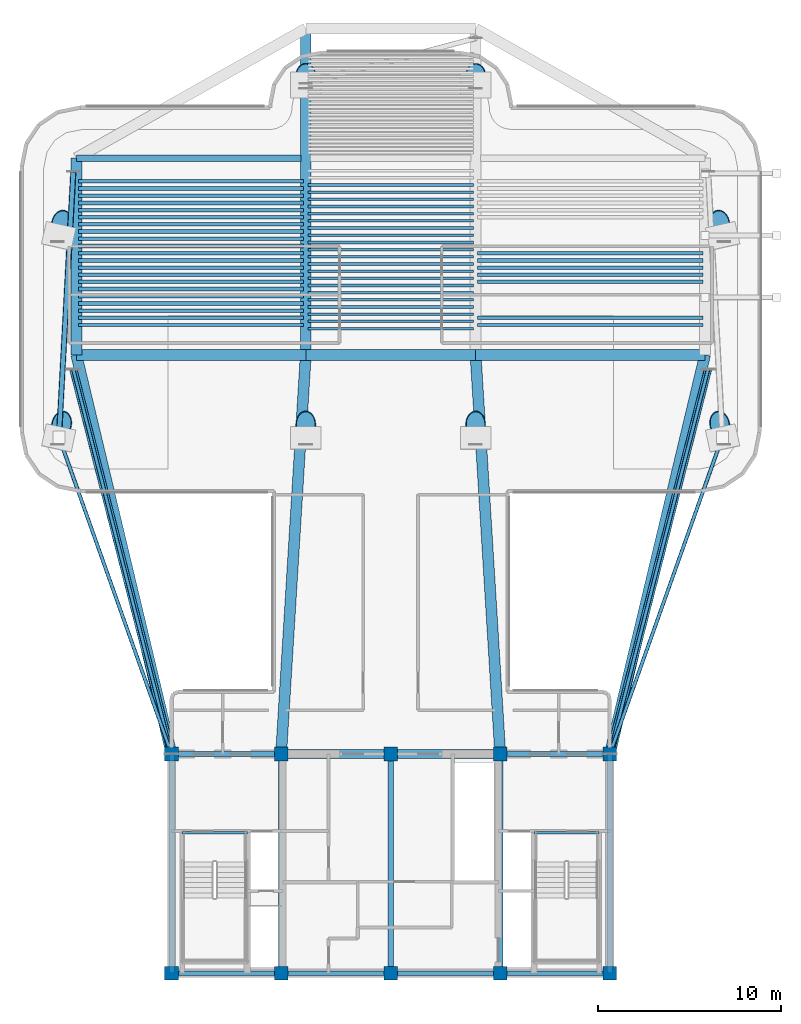
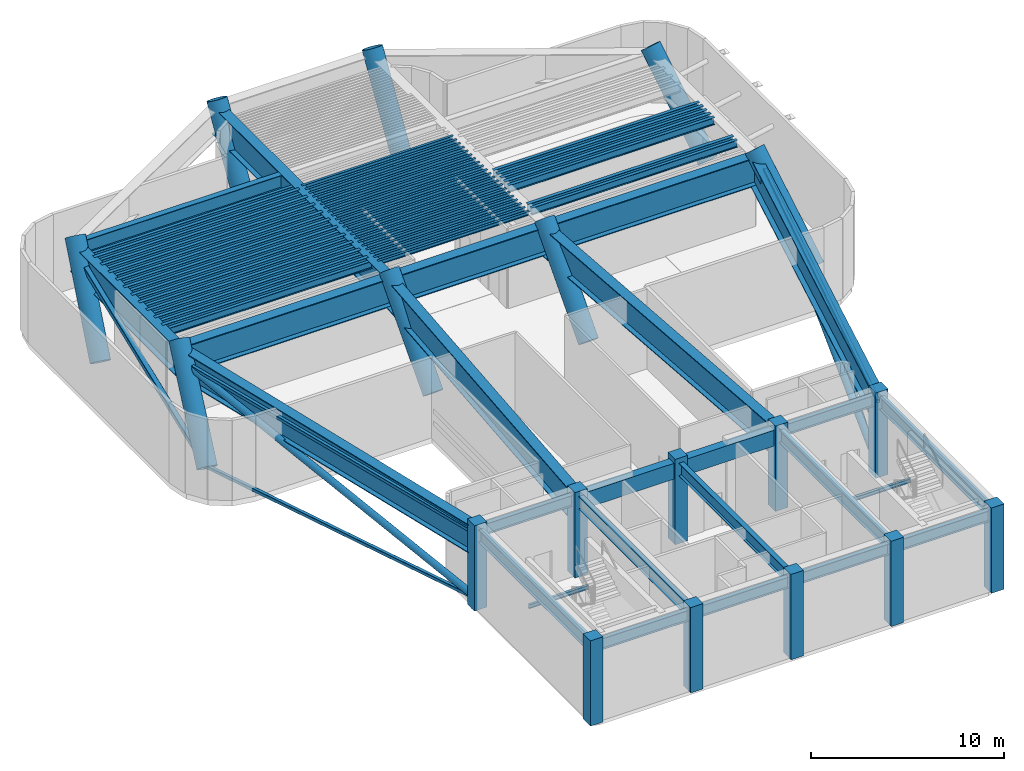
# One storey, part 1 of 11: 73 beams, 18 columns, 7 members.
"""IFC4 building model written with IfcOpenShell, lengths in metres."""

from ifc_helpers import new_model, si_unit, direction, frame, origin, origin_2d, place, context, subcontext, project, spatial, rectangle, hollow_rectangle, hollow_circle, i_section, extrude, source, transform, mapped, material, material_profile, profile_set, type_object, element, save


model = new_model("IFC4")

# Units and contexts
model_context = context("Model", 3, precision=1e-05, world=origin(), true_north=direction((0.0, 1.0)))
body_context = subcontext(model_context, "Body", "Model", "MODEL_VIEW")
ifc_project = project(units=[si_unit("LENGTHUNIT", "METRE"), si_unit("AREAUNIT", "SQUARE_METRE"), si_unit("VOLUMEUNIT", "CUBIC_METRE"), si_unit("PLANEANGLEUNIT", "RADIAN"), si_unit("MASSUNIT", "GRAM", prefix="KILO")], contexts=[model_context])

# Site, building, storey
site_placement = place(None, origin())
site = spatial("IfcSite", under=ifc_project, at=site_placement, CompositionType="ELEMENT")
building_placement = place(site_placement, origin())
building = spatial("IfcBuilding", under=site, at=building_placement, Name="Brelvock Crest Care Tower", CompositionType="ELEMENT")
storey_placement = place(building_placement, frame((0.0, 0.0, 213.1201171875)))
storey = spatial("IfcBuildingStorey", under=building, at=storey_placement, Name="L54", CompositionType="ELEMENT", Elevation=213.1201171875)

# Columns
ifc_material_1 = material(Name="Concrete S65 (65 MPa)", Category="concrete")
ifc_material_profile_1 = material_profile(ifc_material_1, rectangle(XDim=0.75, YDim=0.75, at=origin_2d()), Name="RC750x750")
ifc_profile_set_1 = profile_set([ifc_material_profile_1], Name="Concrete S65 (65 MPa)")
column_type_1 = type_object("IfcColumnType", Name="COL-RC3", PredefinedType="COLUMN", material=ifc_profile_set_1)
shared_shape_1 = source(origin(), body_context, "Body", "SweptSolid", [
    extrude(rectangle(XDim=0.75, YDim=0.75, at=origin_2d()), origin(), (0.0, 0.0, 1.0), 5.39990234375),
])
for number, where, z_axis, x_axis, name in (
    (1, (24.0, 6.0, 0.0), (0.0, 0.0, 1.0), (1.0, 0.0, 0.0), "L54 Core Column CC-01"),
    (2, (30.0, 6.0, 0.0), (0.0, 0.0, 1.0), (1.0, 0.0, 0.0), "L54 Core Column CC-02"),
    (3, (36.0, 6.0, 0.0), (0.0, 0.0, 1.0), (1.0, 0.0, 0.0), "L54 Core Column CC-03"),
    (4, (42.0, 6.0, 0.0), (0.0, 0.0, 1.0), (1.0, 0.0, 0.0), "L54 Core Column CC-04"),
    (5, (48.0, 6.0, 0.0), (0.0, 0.0, 1.0), (1.0, 0.0, 0.0), "L54 Core Column CC-05"),
    (6, (24.0, 18.0, 0.0), (0.0, 0.0, 1.0), (1.0, 0.0, 0.0), "L54 Core Column CC-06"),
    (7, (30.0, 18.0, 0.0), (0.0, 0.0, 1.0), (1.0, 0.0, 0.0), "L54 Core Column CC-07"),
    (8, (36.0, 18.0, 0.0), (0.0, 0.0, 1.0), (1.0, 0.0, 0.0), "L54 Core Column CC-08"),
    (9, (42.0, 18.0, 0.0), (0.0, 0.0, 1.0), (1.0, 0.0, 0.0), "L54 Core Column CC-09"),
    (10, (48.0, 18.0, 0.0), (0.0, 0.0, 1.0), (1.0, 0.0, 0.0), "L54 Core Column CC-10"),
):
    element("IfcColumn", number, at=place(storey_placement, frame(where, z_axis=z_axis, x_axis=x_axis)), inside=storey, type_object=column_type_1, Name=name, PredefinedType="COLUMN", context=body_context, shape_type="MappedRepresentation", body=[
        mapped(shared_shape_1, transform((0.0, 0.0, 0.0), x_axis=(1.0, 0.0, 0.0), y_axis=(0.0, 1.0, 0.0), z_axis=(0.0, 0.0, 1.0), scale=1.0)),
    ])
ifc_material_2 = material(Name="Steel Grade 350", Category="steel")
ifc_material_profile_2 = material_profile(ifc_material_2, hollow_circle(Radius=0.550048828125, WallThickness=0.0400390625, at=origin_2d()), Name="CFT1100x40")
ifc_profile_set_2 = profile_set([ifc_material_profile_2], Name="Steel Grade 350")
column_type_2 = type_object("IfcColumnType", Name="COL-MC3", PredefinedType="COLUMN", material=ifc_profile_set_2)
shared_shape_2 = source(origin(), body_context, "Body", "SweptSolid", [
    extrude(hollow_circle(Radius=0.550048828125, WallThickness=0.0400390625, at=origin_2d()), origin(), (0.0, 0.0, 1.0), 6.834228515625),
])
for number, where, z_axis, x_axis, name in (
    (11, (17.825439453125, 35.3076171875, 0.393310546875), (0.14060814626, 0.665995343173, 0.732584160406), (-0.978431573463, 0.206571188819, 0.0), "L54 Raked Mega-Column M1"),
    (12, (54.174560546875, 35.3076171875, 0.393310546875), (-0.14060814626, 0.665995343173, 0.732584160406), (-0.978431573463, -0.206571188819, 0.0), "L54 Raked Mega-Column M3"),
):
    element("IfcColumn", number, at=place(storey_placement, frame(where, z_axis=z_axis, x_axis=x_axis)), inside=storey, type_object=column_type_2, Name=name, PredefinedType="COLUMN", context=body_context, shape_type="MappedRepresentation", body=[
        mapped(shared_shape_2, transform((0.0, 0.0, 0.0), x_axis=(1.0, 0.0, 0.0), y_axis=(0.0, 1.0, 0.0), z_axis=(0.0, 0.0, 1.0), scale=1.0)),
    ])
shared_shape_3 = source(origin(), body_context, "Body", "SweptSolid", [
    extrude(hollow_circle(Radius=0.550048828125, WallThickness=0.0400390625, at=origin_2d()), origin(), (0.0, 0.0, 1.0), 6.65380859375),
])
for number, where, z_axis, x_axis, name in (
    (13, (17.822998046875, 46.372314453125, 0.3798828125), (0.144787640701, 0.640169783911, 0.754466160187), (-0.975364614576, 0.220598886291, 0.0), "L54 Raked Mega-Column M2"),
    (14, (54.177001953125, 46.372314453125, 0.3798828125), (-0.144787640701, 0.640169783911, 0.754466160187), (-0.975364614576, -0.220598886291, 0.0), "L54 Raked Mega-Column M4"),
):
    element("IfcColumn", number, at=place(storey_placement, frame(where, z_axis=z_axis, x_axis=x_axis)), inside=storey, type_object=column_type_2, Name=name, PredefinedType="COLUMN", context=body_context, shape_type="MappedRepresentation", body=[
        mapped(shared_shape_3, transform((0.0, 0.0, 0.0), x_axis=(1.0, 0.0, 0.0), y_axis=(0.0, 1.0, 0.0), z_axis=(0.0, 0.0, 1.0), scale=1.0)),
    ])
shared_shape_4 = source(origin(), body_context, "Body", "SweptSolid", [
    extrude(hollow_circle(Radius=0.550048828125, WallThickness=0.0400390625, at=origin_2d()), origin(), (0.0, 0.0, 1.0), 6.772216796875),
])
for number, where, z_axis, x_axis, name in (
    (15, (31.35009765625, 35.3037109375, 0.388916015625), (0.0, 0.672670999613, 0.73994170465), (-1.0, 0.0, 0.0), "L54 Raked Mega-Column M5"),
    (16, (40.64990234375, 35.3037109375, 0.388916015625), (0.0, 0.672670999613, 0.73994170465), (-1.0, 0.0, 0.0), "L54 Raked Mega-Column M6"),
):
    element("IfcColumn", number, at=place(storey_placement, frame(where, z_axis=z_axis, x_axis=x_axis)), inside=storey, type_object=column_type_2, Name=name, PredefinedType="COLUMN", context=body_context, shape_type="MappedRepresentation", body=[
        mapped(shared_shape_4, transform((0.0, 0.0, 0.0), x_axis=(1.0, 0.0, 0.0), y_axis=(0.0, 1.0, 0.0), z_axis=(0.0, 0.0, 1.0), scale=1.0)),
    ])
shared_shape_5 = source(origin(), body_context, "Body", "SweptSolid", [
    extrude(hollow_circle(Radius=0.550048828125, WallThickness=0.0400390625, at=origin_2d()), origin(), (0.0, 0.0, 1.0), 5.958740234375),
])
for number, where, z_axis, x_axis, name in (
    (17, (31.35009765625, 54.63427734375, 0.303955078125), (0.0, 0.51829263569, 0.855203334763), (-1.0, 0.0, 0.0), "L54 Raked Mega-Column M7"),
    (18, (40.64990234375, 54.63427734375, 0.303955078125), (0.0, 0.51829263569, 0.855203334763), (-1.0, 0.0, 0.0), "L54 Raked Mega-Column M8"),
):
    element("IfcColumn", number, at=place(storey_placement, frame(where, z_axis=z_axis, x_axis=x_axis)), inside=storey, type_object=column_type_2, Name=name, PredefinedType="COLUMN", context=body_context, shape_type="MappedRepresentation", body=[
        mapped(shared_shape_5, transform((0.0, 0.0, 0.0), x_axis=(1.0, 0.0, 0.0), y_axis=(0.0, 1.0, 0.0), z_axis=(0.0, 0.0, 1.0), scale=1.0)),
    ])

# Beams
ifc_material_profile_3 = material_profile(ifc_material_2, i_section(OverallWidth=0.25, OverallDepth=0.699951171875, WebThickness=0.011962890625, FlangeThickness=0.02001953125, at=origin_2d()), Name="700WB150")
ifc_profile_set_3 = profile_set([ifc_material_profile_3], Name="Steel Grade 350")
beam_type_1 = type_object("IfcBeamType", Name="BM-G4", PredefinedType="BEAM", material=ifc_profile_set_3)
shared_shape_6 = source(origin(), body_context, "Body", "SweptSolid", [
    extrude(i_section(OverallWidth=0.25, OverallDepth=0.699951171875, WebThickness=0.011962890625, FlangeThickness=0.02001953125, at=origin_2d()), origin(), (0.0, 0.0, 1.0), 6.0),
])
for number, where, z_axis, x_axis, name in (
    (19, (24.0, 6.0, 4.72998046875), (1.0, 0.0, 0.0), (0.0, 1.0, 0.0), "BM-CORES-L54-1"),
    (20, (24.0, 18.0, 4.72998046875), (1.0, 0.0, 0.0), (0.0, 1.0, 0.0), "BM-COREN-L54-1"),
    (21, (30.0, 6.0, 4.72998046875), (1.0, 0.0, 0.0), (0.0, 1.0, 0.0), "BM-CORES-L54-2"),
    (22, (36.0, 6.0, 4.72998046875), (1.0, 0.0, 0.0), (0.0, 1.0, 0.0), "BM-CORES-L54-3"),
    (23, (42.0, 6.0, 4.72998046875), (1.0, 0.0, 0.0), (0.0, 1.0, 0.0), "BM-CORES-L54-4"),
    (24, (42.0, 18.0, 4.72998046875), (1.0, 0.0, 0.0), (0.0, 1.0, 0.0), "BM-COREN-L54-4"),
):
    element("IfcBeam", number, at=place(storey_placement, frame(where, z_axis=z_axis, x_axis=x_axis)), inside=storey, type_object=beam_type_1, Name=name, PredefinedType="BEAM", context=body_context, shape_type="MappedRepresentation", body=[
        mapped(shared_shape_6, transform((0.0, 0.0, 0.0), x_axis=(1.0, 0.0, 0.0), y_axis=(0.0, 1.0, 0.0), z_axis=(0.0, 0.0, 1.0), scale=1.0)),
    ])
ifc_material_profile_4 = material_profile(ifc_material_2, i_section(OverallWidth=0.300048828125, OverallDepth=0.800048828125, WebThickness=0.013916015625, FlangeThickness=0.02197265625, at=origin_2d()), Name="800WB192")
ifc_profile_set_4 = profile_set([ifc_material_profile_4], Name="Steel Grade 350")
beam_type_2 = type_object("IfcBeamType", Name="BM-G5", PredefinedType="BEAM", material=ifc_profile_set_4)
shared_shape_7 = source(origin(), body_context, "Body", "SweptSolid", [
    extrude(i_section(OverallWidth=0.300048828125, OverallDepth=0.800048828125, WebThickness=0.013916015625, FlangeThickness=0.02197265625, at=origin_2d()), origin(), (0.0, 0.0, 1.0), 12.0),
])
for number, where, z_axis, x_axis, name in (
    (25, (24.0, 6.0, 4.679931640625), (0.0, 1.0, 0.0), (-1.0, 0.0, 0.0), "BM-COREX-L54-1"),
    (26, (30.0, 6.0, 4.679931640625), (0.0, 1.0, 0.0), (-1.0, 0.0, 0.0), "BM-COREX-L54-2"),
    (27, (36.0, 6.0, 4.679931640625), (0.0, 1.0, 0.0), (-1.0, 0.0, 0.0), "BM-COREX-L54-3"),
    (28, (42.0, 6.0, 4.679931640625), (0.0, 1.0, 0.0), (-1.0, 0.0, 0.0), "BM-COREX-L54-4"),
    (29, (48.0, 6.0, 4.679931640625), (0.0, 1.0, 0.0), (-1.0, 0.0, 0.0), "BM-COREX-L54-5"),
):
    element("IfcBeam", number, at=place(storey_placement, frame(where, z_axis=z_axis, x_axis=x_axis)), inside=storey, type_object=beam_type_2, Name=name, PredefinedType="BEAM", context=body_context, shape_type="MappedRepresentation", body=[
        mapped(shared_shape_7, transform((0.0, 0.0, 0.0), x_axis=(1.0, 0.0, 0.0), y_axis=(0.0, 1.0, 0.0), z_axis=(0.0, 0.0, 1.0), scale=1.0)),
    ])
ifc_material_profile_5 = material_profile(ifc_material_2, i_section(OverallWidth=0.14599609375, OverallDepth=0.256103515625, WebThickness=0.00634765625, FlangeThickness=0.010986328125, FilletRadius=0.0087890625, at=origin_2d()), Name="250UB37.3")
ifc_profile_set_5 = profile_set([ifc_material_profile_5], Name="Steel Grade 350")
beam_type_3 = type_object("IfcBeamType", Name="BM-J3", PredefinedType="JOIST", material=ifc_profile_set_5)
shared_shape_8 = source(origin(), body_context, "Body", "SweptSolid", [
    extrude(i_section(OverallWidth=0.14599609375, OverallDepth=0.256103515625, WebThickness=0.00634765625, FlangeThickness=0.010986328125, FilletRadius=0.0087890625, at=origin_2d()), origin(), (0.0, 0.0, 1.0), 3.56982421875),
])
for number, where, z_axis, x_axis, name in (
    (30, (24.580078125, 13.679931640625, 2.371826171875), (1.0, 0.0, 0.0), (0.0, 1.0, 0.0), "BM-ST1L-L54"),
    (31, (43.85009765625, 13.679931640625, 2.371826171875), (1.0, 0.0, 0.0), (0.0, 1.0, 0.0), "BM-ST2L-L54"),
):
    element("IfcBeam", number, at=place(storey_placement, frame(where, z_axis=z_axis, x_axis=x_axis)), inside=storey, type_object=beam_type_3, Name=name, PredefinedType="JOIST", context=body_context, shape_type="MappedRepresentation", body=[
        mapped(shared_shape_8, transform((0.0, 0.0, 0.0), x_axis=(1.0, 0.0, 0.0), y_axis=(0.0, 1.0, 0.0), z_axis=(0.0, 0.0, 1.0), scale=1.0)),
    ])
ifc_material_profile_6 = material_profile(ifc_material_2, i_section(OverallWidth=0.60009765625, OverallDepth=1.800048828125, WebThickness=0.028076171875, FlangeThickness=0.052001953125, at=origin_2d()), Name="1800TG740")
ifc_profile_set_6 = profile_set([ifc_material_profile_6], Name="Steel Grade 350")
beam_type_4 = type_object("IfcBeamType", Name="BM-TG1", PredefinedType="USERDEFINED", material=ifc_profile_set_6)
shared_shape_9 = source(origin(), body_context, "Body", "SweptSolid", [
    extrude(i_section(OverallWidth=0.60009765625, OverallDepth=1.800048828125, WebThickness=0.028076171875, FlangeThickness=0.052001953125, at=origin_2d()), origin(), (0.0, 0.0, 1.0), 9.2998046875),
])
beam_1_placement = place(storey_placement, frame((31.35009765625, 39.859130859375, 4.179931640625), z_axis=(1.0, 0.0, 0.0), x_axis=(0.0, 1.0, 0.0)))
element("IfcBeam", 32, at=beam_1_placement, inside=storey, type_object=beam_type_4, Name="BM-TWR-L54-05", ObjectType="GIRDER", PredefinedType="USERDEFINED", context=body_context, shape_type="MappedRepresentation", body=[
    mapped(shared_shape_9, transform((0.0, 0.0, 0.0), x_axis=(1.0, 0.0, 0.0), y_axis=(0.0, 1.0, 0.0), z_axis=(0.0, 0.0, 1.0), scale=1.0)),
])
shared_shape_10 = source(origin(), body_context, "Body", "SweptSolid", [
    extrude(i_section(OverallWidth=0.14599609375, OverallDepth=0.256103515625, WebThickness=0.00634765625, FlangeThickness=0.010986328125, FilletRadius=0.0087890625, at=origin_2d()), origin(), (0.0, 0.0, 1.0), 9.06982421875),
])
for number, where, z_axis, x_axis, name in (
    (33, (31.465087890625, 41.294677734375, 4.951904296875), (1.0, 0.0, 0.0), (0.0, 1.0, 0.0), "BM-JH-L54-3"),
    (34, (31.465087890625, 41.687744140625, 4.951904296875), (1.0, 0.0, 0.0), (0.0, 1.0, 0.0), "BM-JH-L54-4"),
    (35, (31.465087890625, 42.0810546875, 4.951904296875), (1.0, 0.0, 0.0), (0.0, 1.0, 0.0), "BM-JH-L54-5"),
    (36, (31.465087890625, 42.47412109375, 4.951904296875), (1.0, 0.0, 0.0), (0.0, 1.0, 0.0), "BM-JH-L54-6"),
    (37, (31.465087890625, 42.867431640625, 4.951904296875), (1.0, 0.0, 0.0), (0.0, 1.0, 0.0), "BM-JH-L54-7"),
    (38, (31.465087890625, 43.260498046875, 4.951904296875), (1.0, 0.0, 0.0), (0.0, 1.0, 0.0), "BM-JH-L54-8"),
    (39, (31.465087890625, 43.65380859375, 4.951904296875), (1.0, 0.0, 0.0), (0.0, 1.0, 0.0), "BM-JH-L54-9"),
    (40, (31.465087890625, 44.047119140625, 4.951904296875), (1.0, 0.0, 0.0), (0.0, 1.0, 0.0), "BM-JH-L54-10"),
    (41, (31.465087890625, 44.440185546875, 4.951904296875), (1.0, 0.0, 0.0), (0.0, 1.0, 0.0), "BM-JH-L54-11"),
    (42, (31.465087890625, 44.83349609375, 4.951904296875), (1.0, 0.0, 0.0), (0.0, 1.0, 0.0), "BM-JH-L54-12"),
    (43, (31.465087890625, 45.2265625, 4.951904296875), (1.0, 0.0, 0.0), (0.0, 1.0, 0.0), "BM-JH-L54-13"),
    (44, (31.465087890625, 45.619873046875, 4.951904296875), (1.0, 0.0, 0.0), (0.0, 1.0, 0.0), "BM-JH-L54-14"),
    (45, (31.465087890625, 46.012939453125, 4.951904296875), (1.0, 0.0, 0.0), (0.0, 1.0, 0.0), "BM-JH-L54-15"),
    (46, (31.465087890625, 46.40625, 4.951904296875), (1.0, 0.0, 0.0), (0.0, 1.0, 0.0), "BM-JH-L54-16"),
    (47, (31.465087890625, 46.79931640625, 4.951904296875), (1.0, 0.0, 0.0), (0.0, 1.0, 0.0), "BM-JH-L54-17"),
    (48, (31.465087890625, 47.192626953125, 4.951904296875), (1.0, 0.0, 0.0), (0.0, 1.0, 0.0), "BM-JH-L54-18"),
    (49, (31.465087890625, 47.585693359375, 4.951904296875), (1.0, 0.0, 0.0), (0.0, 1.0, 0.0), "BM-JH-L54-19"),
    (50, (31.465087890625, 47.97900390625, 4.951904296875), (1.0, 0.0, 0.0), (0.0, 1.0, 0.0), "BM-JH-L54-20"),
    (51, (31.465087890625, 48.372314453125, 4.951904296875), (1.0, 0.0, 0.0), (0.0, 1.0, 0.0), "BM-JH-L54-21"),
    (52, (31.465087890625, 48.765380859375, 4.951904296875), (1.0, 0.0, 0.0), (0.0, 1.0, 0.0), "BM-JH-L54-22"),
    (53, (31.465087890625, 49.15869140625, 4.951904296875), (1.0, 0.0, 0.0), (0.0, 1.0, 0.0), "BM-JH-L54-23"),
):
    element("IfcBeam", number, at=place(storey_placement, frame(where, z_axis=z_axis, x_axis=x_axis)), inside=storey, type_object=beam_type_3, Name=name, PredefinedType="JOIST", context=body_context, shape_type="MappedRepresentation", body=[
        mapped(shared_shape_10, transform((0.0, 0.0, 0.0), x_axis=(1.0, 0.0, 0.0), y_axis=(0.0, 1.0, 0.0), z_axis=(0.0, 0.0, 1.0), scale=1.0)),
    ])
ifc_material_profile_7 = material_profile(ifc_material_1, rectangle(XDim=0.5, YDim=1.0, at=origin_2d()), Name="RC500x1000")
ifc_profile_set_7 = profile_set([ifc_material_profile_7], Name="Concrete S65 (65 MPa)")
beam_type_5 = type_object("IfcBeamType", Name="BM-LN2", PredefinedType="LINTEL", material=ifc_profile_set_7)
shared_shape_11 = source(origin(), body_context, "Body", "SweptSolid", [
    extrude(rectangle(XDim=0.5, YDim=1.0, at=origin_2d()), origin(), (0.0, 0.0, 1.0), 12.0),
])
beam_2_placement = place(storey_placement, frame((30.0, 18.0, 4.579833984375), z_axis=(1.0, 0.0, 0.0), x_axis=(0.0, 1.0, 0.0)))
element("IfcBeam", 54, at=beam_2_placement, inside=storey, type_object=beam_type_5, Name="L54 Core Coupling Lintel Beam", PredefinedType="LINTEL", context=body_context, shape_type="MappedRepresentation", body=[
    mapped(shared_shape_11, transform((0.0, 0.0, 0.0), x_axis=(1.0, 0.0, 0.0), y_axis=(0.0, 1.0, 0.0), z_axis=(0.0, 0.0, 1.0), scale=1.0)),
])
shared_shape_12 = source(origin(), body_context, "Body", "SweptSolid", [
    extrude(i_section(OverallWidth=0.60009765625, OverallDepth=1.800048828125, WebThickness=0.028076171875, FlangeThickness=0.052001953125, at=origin_2d()), origin(), (0.0, 0.0, 1.0), 10.772705078125),
])
beam_3_placement = place(storey_placement, frame((18.786376953125, 39.859130859375, 4.179931640625), z_axis=(0.0, 1.0, 0.0), x_axis=(-1.0, 0.0, 0.0)))
element("IfcBeam", 55, at=beam_3_placement, inside=storey, type_object=beam_type_4, Name="BM-TWR-L54-01", ObjectType="GIRDER", PredefinedType="USERDEFINED", context=body_context, shape_type="MappedRepresentation", body=[
    mapped(shared_shape_12, transform((0.0, 0.0, 0.0), x_axis=(1.0, 0.0, 0.0), y_axis=(0.0, 1.0, 0.0), z_axis=(0.0, 0.0, 1.0), scale=1.0)),
])
shared_shape_13 = source(origin(), body_context, "Body", "SweptSolid", [
    extrude(i_section(OverallWidth=0.60009765625, OverallDepth=1.800048828125, WebThickness=0.028076171875, FlangeThickness=0.052001953125, at=origin_2d()), origin(), (0.0, 0.0, 1.0), 12.563720703125),
])
for number, where, z_axis, x_axis, name in (
    (56, (18.786376953125, 39.859130859375, 4.179931640625), (1.0, 0.0, 0.0), (0.0, 1.0, 0.0), "BM-TWR-L54-03"),
    (57, (40.64990234375, 39.859130859375, 4.179931640625), (1.0, 0.0, 0.0), (0.0, 1.0, 0.0), "BM-TWR-L54-04"),
):
    element("IfcBeam", number, at=place(storey_placement, frame(where, z_axis=z_axis, x_axis=x_axis)), inside=storey, type_object=beam_type_4, Name=name, ObjectType="GIRDER", PredefinedType="USERDEFINED", context=body_context, shape_type="MappedRepresentation", body=[
        mapped(shared_shape_13, transform((0.0, 0.0, 0.0), x_axis=(1.0, 0.0, 0.0), y_axis=(0.0, 1.0, 0.0), z_axis=(0.0, 0.0, 1.0), scale=1.0)),
    ])
shared_shape_14 = source(origin(), body_context, "Body", "SweptSolid", [
    extrude(i_section(OverallWidth=0.60009765625, OverallDepth=1.800048828125, WebThickness=0.028076171875, FlangeThickness=0.052001953125, at=origin_2d()), origin(), (0.0, 0.0, 1.0), 17.863525390625),
])
beam_4_placement = place(storey_placement, frame((31.35009765625, 39.859130859375, 4.179931640625), z_axis=(0.0, 1.0, 0.0), x_axis=(-1.0, 0.0, 0.0)))
element("IfcBeam", 58, at=beam_4_placement, inside=storey, type_object=beam_type_4, Name="BM-TWR-L54-09", ObjectType="GIRDER", PredefinedType="USERDEFINED", context=body_context, shape_type="MappedRepresentation", body=[
    mapped(shared_shape_14, transform((0.0, 0.0, 0.0), x_axis=(1.0, 0.0, 0.0), y_axis=(0.0, 1.0, 0.0), z_axis=(0.0, 0.0, 1.0), scale=1.0)),
])
ifc_material_profile_8 = material_profile(ifc_material_2, i_section(OverallWidth=0.35009765625, OverallDepth=0.89990234375, WebThickness=0.01611328125, FlangeThickness=0.028076171875, at=origin_2d()), Name="900WB257")
ifc_profile_set_8 = profile_set([ifc_material_profile_8], Name="Steel Grade 350")
beam_type_6 = type_object("IfcBeamType", Name="BM-G6", PredefinedType="BEAM", material=ifc_profile_set_8)
shared_shape_15 = source(origin(), body_context, "Body", "SweptSolid", [
    extrude(i_section(OverallWidth=0.35009765625, OverallDepth=0.89990234375, WebThickness=0.01611328125, FlangeThickness=0.028076171875, at=origin_2d()), origin(), (0.0, 0.0, 1.0), 12.3037109375),
])
beam_5_placement = place(storey_placement, frame((18.786376953125, 50.6318359375, 4.6298828125), z_axis=(1.0, 0.0, 0.0), x_axis=(0.0, 1.0, 0.0)))
element("IfcBeam", 59, at=beam_5_placement, inside=storey, type_object=beam_type_6, Name="BM-TIE-L54-W", PredefinedType="BEAM", context=body_context, shape_type="MappedRepresentation", body=[
    mapped(shared_shape_15, transform((0.0, 0.0, 0.0), x_axis=(1.0, 0.0, 0.0), y_axis=(0.0, 1.0, 0.0), z_axis=(0.0, 0.0, 1.0), scale=1.0)),
])
shared_shape_16 = source(origin(), body_context, "Body", "SweptSolid", [
    extrude(i_section(OverallWidth=0.60009765625, OverallDepth=1.800048828125, WebThickness=0.028076171875, FlangeThickness=0.052001953125, at=origin_2d()), origin(), (0.0, 0.0, 1.0), 21.90087890625),
])
for number, where, z_axis, x_axis, name in (
    (60, (30.0, 18.0, 4.179931640625), (0.061646086275, 0.998098071357, 0.0), (-0.998098071357, 0.061646086275, 0.0), "BM-THRW-L54"),
    (61, (42.0, 18.0, 4.179931640625), (-0.061646086275, 0.998098071357, 0.0), (-0.998098071357, -0.061646086275, 0.0), "BM-THRE-L54"),
):
    element("IfcBeam", number, at=place(storey_placement, frame(where, z_axis=z_axis, x_axis=x_axis)), inside=storey, type_object=beam_type_4, Name=name, ObjectType="GIRDER", PredefinedType="USERDEFINED", context=body_context, shape_type="MappedRepresentation", body=[
        mapped(shared_shape_16, transform((0.0, 0.0, 0.0), x_axis=(1.0, 0.0, 0.0), y_axis=(0.0, 1.0, 0.0), z_axis=(0.0, 0.0, 1.0), scale=1.0)),
    ])
shared_shape_17 = source(origin(), body_context, "Body", "SweptSolid", [
    extrude(i_section(OverallWidth=0.60009765625, OverallDepth=1.800048828125, WebThickness=0.028076171875, FlangeThickness=0.052001953125, at=origin_2d()), origin(), (0.0, 0.0, 1.0), 22.47216796875),
])
for number, where, z_axis, x_axis, name in (
    (62, (24.0, 18.0, 4.179931640625), (-0.232002384131, 0.972715217192, 0.0), (-0.972715217192, -0.232002384131, 0.0), "BM-THRO-W-L54"),
    (63, (48.0, 18.0, 4.179931640625), (0.232002384131, 0.972715217192, 0.0), (-0.972715217192, 0.232002384131, 0.0), "BM-THRO-E-L54"),
):
    element("IfcBeam", number, at=place(storey_placement, frame(where, z_axis=z_axis, x_axis=x_axis)), inside=storey, type_object=beam_type_4, Name=name, ObjectType="GIRDER", PredefinedType="USERDEFINED", context=body_context, shape_type="MappedRepresentation", body=[
        mapped(shared_shape_17, transform((0.0, 0.0, 0.0), x_axis=(1.0, 0.0, 0.0), y_axis=(0.0, 1.0, 0.0), z_axis=(0.0, 0.0, 1.0), scale=1.0)),
    ])
ifc_material_profile_9 = material_profile(ifc_material_2, i_section(OverallWidth=0.19091796875, OverallDepth=0.4599609375, WebThickness=0.010009765625, FlangeThickness=0.01611328125, FilletRadius=0.011474609375, at=origin_2d()), Name="460UB82.1")
ifc_profile_set_9 = profile_set([ifc_material_profile_9], Name="Steel Grade 350")
beam_type_7 = type_object("IfcBeamType", Name="BM-G3", PredefinedType="BEAM", material=ifc_profile_set_9)
shared_shape_18 = source(origin(), body_context, "Body", "SweptSolid", [
    extrude(i_section(OverallWidth=0.19091796875, OverallDepth=0.4599609375, WebThickness=0.010009765625, FlangeThickness=0.01611328125, FilletRadius=0.011474609375, at=origin_2d()), origin(), (0.0, 0.0, 1.0), 12.333740234375),
])
for number, where, z_axis, x_axis, name in (
    (64, (18.9013671875, 41.4912109375, 4.849853515625), (1.0, 0.0, 0.0), (0.0, 1.0, 0.0), "BM-JW-L54-4"),
    (65, (40.764892578125, 41.4912109375, 4.849853515625), (1.0, 0.0, 0.0), (0.0, 1.0, 0.0), "BM-JE-L54-4"),
    (66, (18.9013671875, 42.277587890625, 4.849853515625), (1.0, 0.0, 0.0), (0.0, 1.0, 0.0), "BM-JW-L54-6"),
    (67, (18.9013671875, 43.06396484375, 4.849853515625), (1.0, 0.0, 0.0), (0.0, 1.0, 0.0), "BM-JW-L54-8"),
    (68, (18.9013671875, 43.850341796875, 4.849853515625), (1.0, 0.0, 0.0), (0.0, 1.0, 0.0), "BM-JW-L54-10"),
    (69, (40.764892578125, 43.850341796875, 4.849853515625), (1.0, 0.0, 0.0), (0.0, 1.0, 0.0), "BM-JE-L54-10"),
    (70, (18.9013671875, 44.63671875, 4.849853515625), (1.0, 0.0, 0.0), (0.0, 1.0, 0.0), "BM-JW-L54-12"),
    (71, (40.764892578125, 44.63671875, 4.849853515625), (1.0, 0.0, 0.0), (0.0, 1.0, 0.0), "BM-JE-L54-12"),
    (72, (18.9013671875, 45.423095703125, 4.849853515625), (1.0, 0.0, 0.0), (0.0, 1.0, 0.0), "BM-JW-L54-14"),
    (73, (40.764892578125, 45.423095703125, 4.849853515625), (1.0, 0.0, 0.0), (0.0, 1.0, 0.0), "BM-JE-L54-14"),
    (74, (18.9013671875, 46.209716796875, 4.849853515625), (1.0, 0.0, 0.0), (0.0, 1.0, 0.0), "BM-JW-L54-16"),
    (75, (18.9013671875, 46.99609375, 4.849853515625), (1.0, 0.0, 0.0), (0.0, 1.0, 0.0), "BM-JW-L54-18"),
    (76, (18.9013671875, 47.782470703125, 4.849853515625), (1.0, 0.0, 0.0), (0.0, 1.0, 0.0), "BM-JW-L54-20"),
    (77, (18.9013671875, 48.56884765625, 4.849853515625), (1.0, 0.0, 0.0), (0.0, 1.0, 0.0), "BM-JW-L54-22"),
    (78, (18.9013671875, 49.355224609375, 4.849853515625), (1.0, 0.0, 0.0), (0.0, 1.0, 0.0), "BM-JW-L54-24"),
):
    element("IfcBeam", number, at=place(storey_placement, frame(where, z_axis=z_axis, x_axis=x_axis)), inside=storey, type_object=beam_type_7, Name=name, PredefinedType="BEAM", context=body_context, shape_type="MappedRepresentation", body=[
        mapped(shared_shape_18, transform((0.0, 0.0, 0.0), x_axis=(1.0, 0.0, 0.0), y_axis=(0.0, 1.0, 0.0), z_axis=(0.0, 0.0, 1.0), scale=1.0)),
    ])
ifc_material_profile_10 = material_profile(ifc_material_2, i_section(OverallWidth=0.208984375, OverallDepth=0.532958984375, WebThickness=0.01025390625, FlangeThickness=0.015625, FilletRadius=0.013916015625, at=origin_2d()), Name="530UB92.4")
ifc_profile_set_10 = profile_set([ifc_material_profile_10], Name="Steel Grade 350")
beam_type_8 = type_object("IfcBeamType", Name="BM-G2", PredefinedType="BEAM", material=ifc_profile_set_10)
shared_shape_19 = source(origin(), body_context, "Body", "SweptSolid", [
    extrude(i_section(OverallWidth=0.208984375, OverallDepth=0.532958984375, WebThickness=0.01025390625, FlangeThickness=0.015625, FilletRadius=0.013916015625, at=origin_2d()), origin(), (0.0, 0.0, 1.0), 12.333740234375),
])
for number, where, z_axis, x_axis, name in (
    (79, (18.9013671875, 41.884521484375, 4.8134765625), (1.0, 0.0, 0.0), (0.0, 1.0, 0.0), "BM-JW-L54-5"),
    (80, (40.764892578125, 41.884521484375, 4.8134765625), (1.0, 0.0, 0.0), (0.0, 1.0, 0.0), "BM-JE-L54-5"),
    (81, (18.9013671875, 42.6708984375, 4.8134765625), (1.0, 0.0, 0.0), (0.0, 1.0, 0.0), "BM-JW-L54-7"),
    (82, (18.9013671875, 43.457275390625, 4.8134765625), (1.0, 0.0, 0.0), (0.0, 1.0, 0.0), "BM-JW-L54-9"),
    (83, (18.9013671875, 44.24365234375, 4.8134765625), (1.0, 0.0, 0.0), (0.0, 1.0, 0.0), "BM-JW-L54-11"),
    (84, (40.764892578125, 44.24365234375, 4.8134765625), (1.0, 0.0, 0.0), (0.0, 1.0, 0.0), "BM-JE-L54-11"),
    (85, (18.9013671875, 45.030029296875, 4.8134765625), (1.0, 0.0, 0.0), (0.0, 1.0, 0.0), "BM-JW-L54-13"),
    (86, (40.764892578125, 45.030029296875, 4.8134765625), (1.0, 0.0, 0.0), (0.0, 1.0, 0.0), "BM-JE-L54-13"),
    (87, (18.9013671875, 45.81640625, 4.8134765625), (1.0, 0.0, 0.0), (0.0, 1.0, 0.0), "BM-JW-L54-15"),
    (88, (18.9013671875, 46.602783203125, 4.8134765625), (1.0, 0.0, 0.0), (0.0, 1.0, 0.0), "BM-JW-L54-17"),
    (89, (18.9013671875, 47.38916015625, 4.8134765625), (1.0, 0.0, 0.0), (0.0, 1.0, 0.0), "BM-JW-L54-19"),
    (90, (18.9013671875, 48.175537109375, 4.8134765625), (1.0, 0.0, 0.0), (0.0, 1.0, 0.0), "BM-JW-L54-21"),
    (91, (18.9013671875, 48.9619140625, 4.8134765625), (1.0, 0.0, 0.0), (0.0, 1.0, 0.0), "BM-JW-L54-23"),
):
    element("IfcBeam", number, at=place(storey_placement, frame(where, z_axis=z_axis, x_axis=x_axis)), inside=storey, type_object=beam_type_8, Name=name, PredefinedType="BEAM", context=body_context, shape_type="MappedRepresentation", body=[
        mapped(shared_shape_19, transform((0.0, 0.0, 0.0), x_axis=(1.0, 0.0, 0.0), y_axis=(0.0, 1.0, 0.0), z_axis=(0.0, 0.0, 1.0), scale=1.0)),
    ])

# Members
ifc_material_profile_11 = material_profile(ifc_material_2, hollow_rectangle(XDim=0.199951171875, YDim=0.199951171875, WallThickness=0.010009765625, OuterFilletRadius=0.02001953125, at=origin_2d()), Name="SHS200x200x10.0")
ifc_profile_set_11 = profile_set([ifc_material_profile_11], Name="Steel Grade 350")
member_type_1 = type_object("IfcMemberType", Name="MEM-CH3", PredefinedType="CHORD", material=ifc_profile_set_11)
shared_shape_20 = source(origin(), body_context, "Body", "SweptSolid", [
    extrude(hollow_rectangle(XDim=0.199951171875, YDim=0.199951171875, WallThickness=0.010009765625, OuterFilletRadius=0.02001953125, at=origin_2d()), origin(), (0.0, 0.0, 1.0), 18.4208984375),
])
for number, where, z_axis, x_axis, name in (
    (92, (24.0, 18.0, 0.449951171875), (-0.33459704074, 0.942361300313, 0.0), (-0.942361300313, -0.33459704074, 0.0), "L54 Outrigger Bottom Chord W1"),
    (93, (48.0, 18.0, 0.449951171875), (0.33459704074, 0.942361300313, 0.0), (-0.942361300313, 0.33459704074, 0.0), "L54 Outrigger Bottom Chord E1"),
):
    element("IfcMember", number, at=place(storey_placement, frame(where, z_axis=z_axis, x_axis=x_axis)), inside=storey, type_object=member_type_1, Name=name, PredefinedType="CHORD", context=body_context, shape_type="MappedRepresentation", body=[
        mapped(shared_shape_20, transform((0.0, 0.0, 0.0), x_axis=(1.0, 0.0, 0.0), y_axis=(0.0, 1.0, 0.0), z_axis=(0.0, 0.0, 1.0), scale=1.0)),
    ])
shared_shape_21 = source(origin(), body_context, "Body", "SweptSolid", [
    extrude(hollow_rectangle(XDim=0.199951171875, YDim=0.199951171875, WallThickness=0.010009765625, OuterFilletRadius=0.02001953125, at=origin_2d()), origin(), (0.0, 0.0, 1.0), 21.744384765625),
])
for number, where, z_axis, x_axis, name in (
    (94, (24.0, 18.0, 4.52978515625), (-0.247448955578, 0.96890093115, 0.0), (-0.96890093115, -0.247448955578, 0.0), "L54 Outrigger Top Chord W1"),
    (95, (48.0, 18.0, 4.52978515625), (0.247448955578, 0.96890093115, 0.0), (-0.96890093115, 0.247448955578, 0.0), "L54 Outrigger Top Chord E1"),
):
    element("IfcMember", number, at=place(storey_placement, frame(where, z_axis=z_axis, x_axis=x_axis)), inside=storey, type_object=member_type_1, Name=name, PredefinedType="CHORD", context=body_context, shape_type="MappedRepresentation", body=[
        mapped(shared_shape_21, transform((0.0, 0.0, 0.0), x_axis=(1.0, 0.0, 0.0), y_axis=(0.0, 1.0, 0.0), z_axis=(0.0, 0.0, 1.0), scale=1.0)),
    ])
ifc_material_3 = material(Name="Steel Grade 450", Category="steel")
ifc_material_profile_12 = material_profile(ifc_material_3, hollow_circle(Radius=0.203125, WallThickness=0.01611328125, at=origin_2d()), Name="CHS406.4x16.0")
ifc_profile_set_12 = profile_set([ifc_material_profile_12], Name="Steel Grade 450")
member_type_2 = type_object("IfcMemberType", Name="MEM-BR3", PredefinedType="BRACE", material=ifc_profile_set_12)
shared_shape_22 = source(origin(), body_context, "Body", "SweptSolid", [
    extrude(hollow_circle(Radius=0.203125, WallThickness=0.01611328125, at=origin_2d()), origin(), (0.0, 0.0, 1.0), 22.123779296875),
])
for number, where, z_axis, x_axis, name in (
    (96, (24.0, 18.0, 0.449951171875), (-0.24320508357, 0.952283800839, 0.184409462841), (-0.96890093115, -0.247448955578, 0.0), "L54 Outrigger Diagonal Brace W1-D1"),
    (97, (48.0, 18.0, 0.449951171875), (0.24320508357, 0.952283800839, 0.184409462841), (-0.96890093115, 0.247448955578, 0.0), "L54 Outrigger Diagonal Brace E1-D1"),
):
    element("IfcMember", number, at=place(storey_placement, frame(where, z_axis=z_axis, x_axis=x_axis)), inside=storey, type_object=member_type_2, Name=name, PredefinedType="BRACE", context=body_context, shape_type="MappedRepresentation", body=[
        mapped(shared_shape_22, transform((0.0, 0.0, 0.0), x_axis=(1.0, 0.0, 0.0), y_axis=(0.0, 1.0, 0.0), z_axis=(0.0, 0.0, 1.0), scale=1.0)),
    ])
ifc_material_profile_13 = material_profile(ifc_material_2, hollow_rectangle(XDim=0.300048828125, YDim=0.300048828125, WallThickness=0.01611328125, OuterFilletRadius=0.031982421875, at=origin_2d()), Name="SHS300x300x16.0")
ifc_profile_set_13 = profile_set([ifc_material_profile_13], Name="Steel Grade 350")
member_type_3 = type_object("IfcMemberType", Name="MEM-BR4", PredefinedType="BRACE", material=ifc_profile_set_13)
shared_shape_23 = source(origin(), body_context, "Body", "SweptSolid", [
    extrude(hollow_rectangle(XDim=0.300048828125, YDim=0.300048828125, WallThickness=0.01611328125, OuterFilletRadius=0.031982421875, at=origin_2d()), origin(), (0.0, 0.0, 1.0), 15.116455078125),
])
member_placement = place(storey_placement, frame((17.83642578125, 35.359130859375, 0.449951171875), z_axis=(0.051795107487, 0.961496144069, 0.269893371131), x_axis=(-0.998552200463, 0.05379129066, 0.0)))
element("IfcMember", 98, at=member_placement, inside=storey, type_object=member_type_3, Name="L54 Belt Truss Brace BW-1", PredefinedType="BRACE", context=body_context, shape_type="MappedRepresentation", body=[
    mapped(shared_shape_23, transform((0.0, 0.0, 0.0), x_axis=(1.0, 0.0, 0.0), y_axis=(0.0, 1.0, 0.0), z_axis=(0.0, 0.0, 1.0), scale=1.0)),
])

save(model, "model.ifc")
